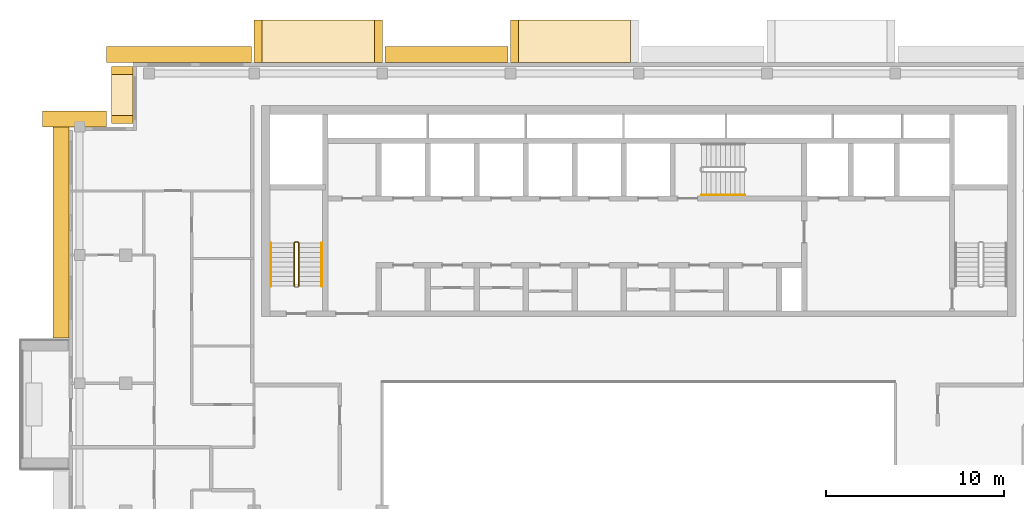
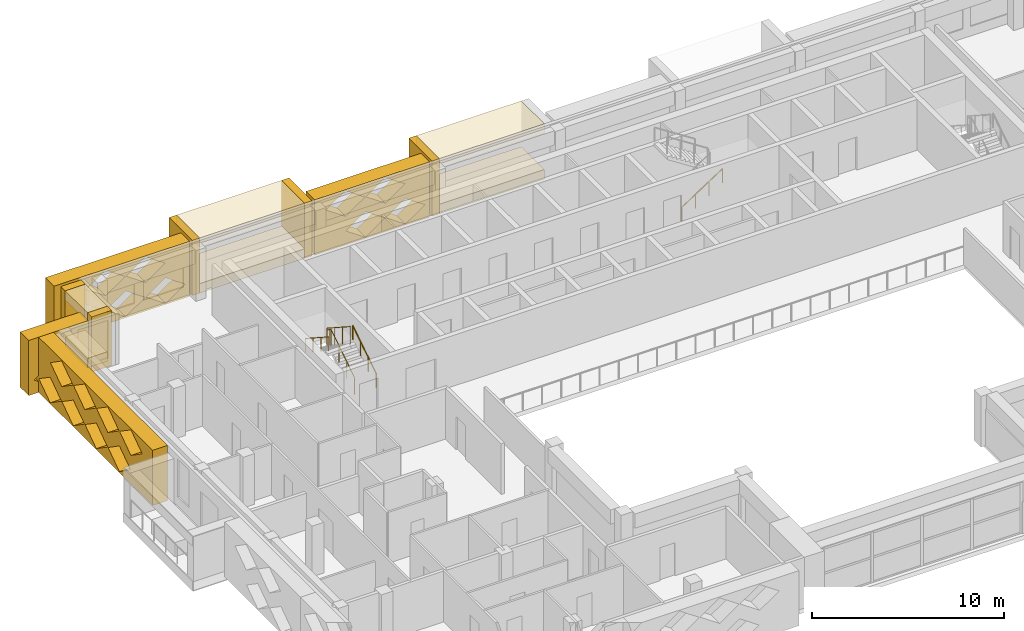
# One storey, part 17 of 19: 15 coverings, 4 railings.
"""IFC4 building model written with IfcOpenShell, lengths in metres."""

from ifc_helpers import new_model, si_unit, direction, frame, origin, origin_2d, place, context, subcontext, project, spatial, polyline, circle, outline, extrude, material, type_object, element, save


model = new_model("IFC4")

# Units and contexts
model_context = context("Model", 3, precision=1e-05, world=origin(), true_north=direction((0.0, 1.0)))
body_context = subcontext(model_context, "Body", "Model", "MODEL_VIEW")
ifc_project = project(units=[si_unit("LENGTHUNIT", "METRE"), si_unit("AREAUNIT", "SQUARE_METRE"), si_unit("VOLUMEUNIT", "CUBIC_METRE"), si_unit("PLANEANGLEUNIT", "RADIAN"), si_unit("MASSUNIT", "GRAM", prefix="KILO")], contexts=[model_context])

# Site, building, storey
site_placement = place(None, origin())
site = spatial("IfcSite", under=ifc_project, at=site_placement, CompositionType="ELEMENT")
building_placement = place(site_placement, origin())
building = spatial("IfcBuilding", under=site, at=building_placement, Name="Saffron Iwan Residences", CompositionType="ELEMENT")
storey_placement = place(building_placement, frame((0.0, 0.0, 253.5)))
storey = spatial("IfcBuildingStorey", under=building, at=storey_placement, Name="L68", CompositionType="ELEMENT", Elevation=253.5)

# Coverings
ifc_material_1 = material(Name="Precast concrete C40/50", Category="concrete")
covering_type_1 = type_object("IfcCoveringType", Name="OUTER SKIN LATTICE SCREEN", PredefinedType="CLADDING", material=ifc_material_1)
covering_1_placement = place(storey_placement, frame((43.050048828125, 80.39990234375, -0.280029296875), z_axis=(0.0, 1.0, 0.0), x_axis=(-1.0, 0.0, 0.0)))
element("IfcCovering", 1, at=covering_1_placement, inside=storey, type_object=covering_type_1, Name="OUTER SKIN lattice screen L68 F5.3", PredefinedType="CLADDING", context=body_context, shape_type="SweptSolid", body=[
    extrude(outline(polyline([(0.0, 0.0), (6.89990234375, 0.0), (6.89990234375, 3.5), (0.0, 3.5), (0.0, 0.0)]), holes=[polyline([(0.27001953125, 0.875), (1.449951171875, 0.06005859375), (2.6298828125, 0.875), (1.449951171875, 1.68994140625), (0.27001953125, 0.875)]), polyline([(2.669921875, 0.875), (3.85009765625, 0.06005859375), (5.030029296875, 0.875), (3.85009765625, 1.68994140625), (2.669921875, 0.875)]), polyline([(1.469970703125, 2.625), (2.64990234375, 1.81005859375), (3.830078125, 2.625), (2.64990234375, 3.43994140625), (1.469970703125, 2.625)]), polyline([(3.8701171875, 2.625), (5.050048828125, 1.81005859375), (6.22998046875, 2.625), (5.050048828125, 3.43994140625), (3.8701171875, 2.625)])]), origin(), (0.0, 0.0, 1.0), 0.900146484375),
])
covering_2_placement = place(storey_placement, frame((28.64990234375, 80.39990234375, -0.280029296875), z_axis=(0.0, 1.0, 0.0), x_axis=(-1.0, 0.0, 0.0)))
element("IfcCovering", 2, at=covering_2_placement, inside=storey, type_object=covering_type_1, Name="OUTER SKIN lattice screen L68 F5.4", PredefinedType="CLADDING", context=body_context, shape_type="SweptSolid", body=[
    extrude(outline(polyline([(0.0, 0.0), (8.14990234375, 0.0), (8.14990234375, 3.5), (0.0, 3.5), (0.0, 0.0)]), holes=[polyline([(0.27001953125, 0.875), (1.449951171875, 0.06005859375), (2.6298828125, 0.875), (1.449951171875, 1.68994140625), (0.27001953125, 0.875)]), polyline([(2.669921875, 0.875), (3.85009765625, 0.06005859375), (5.030029296875, 0.875), (3.85009765625, 1.68994140625), (2.669921875, 0.875)]), polyline([(5.070068359375, 0.875), (6.25, 0.06005859375), (7.429931640625, 0.875), (6.25, 1.68994140625), (5.070068359375, 0.875)]), polyline([(1.469970703125, 2.625), (2.64990234375, 1.81005859375), (3.830078125, 2.625), (2.64990234375, 3.43994140625), (1.469970703125, 2.625)]), polyline([(3.8701171875, 2.625), (5.050048828125, 1.81005859375), (6.22998046875, 2.625), (5.050048828125, 3.43994140625), (3.8701171875, 2.625)])]), origin(), (0.0, 0.0, 1.0), 0.900146484375),
])
covering_3_placement = place(storey_placement, frame((20.5, 76.800048828125, -0.280029296875), z_axis=(0.0, 1.0, 0.0), x_axis=(-1.0, 0.0, 0.0)))
element("IfcCovering", 3, at=covering_3_placement, inside=storey, type_object=covering_type_1, Name="OUTER SKIN lattice screen L68 F7.0", PredefinedType="CLADDING", context=body_context, shape_type="SweptSolid", body=[
    extrude(outline(polyline([(0.0, 0.0), (3.60009765625, 0.0), (3.60009765625, 3.5), (0.0, 3.5), (0.0, 0.0)]), holes=[polyline([(0.919921875, 0.875), (2.10009765625, 0.06005859375), (3.280029296875, 0.875), (2.10009765625, 1.68994140625), (0.919921875, 0.875)])]), origin(), (0.0, 0.0, 1.0), 0.89990234375),
])
covering_4_placement = place(storey_placement, frame((18.39990234375, 77.699951171875, -0.280029296875), z_axis=(-1.0, 0.0, 0.0), x_axis=(0.0, -1.0, 0.0)))
element("IfcCovering", 4, at=covering_4_placement, inside=storey, type_object=covering_type_1, Name="OUTER SKIN lattice screen L68 F8.0", PredefinedType="CLADDING", context=body_context, shape_type="SweptSolid", body=[
    extrude(outline(polyline([(0.0, 0.0), (12.75, 0.0), (12.75, 3.5), (0.0, 3.5), (0.0, 0.0)]), holes=[polyline([(0.919921875, 0.875), (2.10009765625, 0.06005859375), (3.280029296875, 0.875), (2.10009765625, 1.68994140625), (0.919921875, 0.875)]), polyline([(3.320068359375, 0.875), (4.5, 0.06005859375), (5.679931640625, 0.875), (4.5, 1.68994140625), (3.320068359375, 0.875)]), polyline([(5.719970703125, 0.875), (6.89990234375, 0.06005859375), (8.080078125, 0.875), (6.89990234375, 1.68994140625), (5.719970703125, 0.875)]), polyline([(8.1201171875, 0.875), (9.300048828125, 0.06005859375), (10.47998046875, 0.875), (9.300048828125, 1.68994140625), (8.1201171875, 0.875)]), polyline([(2.1201171875, 2.625), (3.300048828125, 1.81005859375), (4.47998046875, 2.625), (3.300048828125, 3.43994140625), (2.1201171875, 2.625)]), polyline([(4.52001953125, 2.625), (5.699951171875, 1.81005859375), (6.8798828125, 2.625), (5.699951171875, 3.43994140625), (4.52001953125, 2.625)]), polyline([(6.919921875, 2.625), (8.10009765625, 1.81005859375), (9.280029296875, 2.625), (8.10009765625, 3.43994140625), (6.919921875, 2.625)]), polyline([(9.320068359375, 2.625), (10.5, 1.81005859375), (11.679931640625, 2.625), (10.5, 3.43994140625), (9.320068359375, 2.625)])]), origin(), (0.0, 0.0, 1.0), 0.89990234375),
])

# Railings
ifc_material_2 = material(Name="Steel S355", Category="steel")
railing_type_1 = type_object("IfcRailingType", Name="Stair guard 1100", PredefinedType="GUARDRAIL", material=ifc_material_2)
railing_1_placement = place(storey_placement, frame((31.300048828125, 67.85009765625, 0.175048828125)))
element("IfcRailing", 5, at=railing_1_placement, inside=storey, type_object=railing_type_1, Name="L68 ST-W stair guard 1", PredefinedType="GUARDRAIL", context=body_context, shape_type="SweptSolid", body=[
    extrude(circle(Radius=0.02392578125, at=origin_2d()), frame((0.0, 0.0, 1.076171875), z_axis=(0.0, 0.839153699163, 0.543894354798), x_axis=(-1.0, 0.0, 0.0)), (0.0, 0.0, 1.0), 2.895751953125),
    extrude(circle(Radius=0.02392578125, at=origin_2d()), frame((0.0, 2.429931640625, 2.65087890625), z_axis=(-0.707106781187, 0.707106781187, 0.0), x_axis=(-0.707106781187, -0.707106781187, 0.0)), (0.0, 0.0, 1.0), 0.07080078125),
    extrude(circle(Radius=0.02392578125, at=origin_2d()), frame((-0.050048828125, 2.47998046875, 2.65087890625), z_axis=(-1.0, 0.0, 0.0), x_axis=(0.0, -1.0, 0.0)), (0.0, 0.0, 1.0), 0.14990234375),
    extrude(circle(Radius=0.02392578125, at=origin_2d()), frame((-0.199951171875, 2.47998046875, 2.65087890625), z_axis=(-0.265065253269, -0.265065253269, 0.927081885822), x_axis=(0.707106781187, -0.707106781187, 0.0)), (0.0, 0.0, 1.0), 0.188720703125),
    extrude(circle(Radius=0.02392578125, at=origin_2d()), frame((-0.25, 2.429931640625, 2.826171875), z_axis=(0.0, -0.839153699163, 0.543894354798), x_axis=(1.0, 0.0, 0.0)), (0.0, 0.0, 1.0), 2.895751953125),
    extrude(circle(Radius=0.02099609375, at=origin_2d()), origin(), (0.0, 0.0, 1.0), 1.052001953125),
    extrude(circle(Radius=0.02099609375, at=origin_2d()), frame((0.0, 0.81005859375, 0.52490234375)), (0.0, 0.0, 1.0), 1.052001953125),
    extrude(circle(Radius=0.02099609375, at=origin_2d()), frame((0.0, 1.619873046875, 1.050048828125)), (0.0, 0.0, 1.0), 1.052001953125),
    extrude(circle(Radius=0.02099609375, at=origin_2d()), frame((0.0, 2.429931640625, 1.574951171875)), (0.0, 0.0, 1.0), 1.052001953125),
    extrude(circle(Radius=0.02099609375, at=origin_2d()), frame((-0.050048828125, 2.47998046875, 1.574951171875)), (0.0, 0.0, 1.0), 1.052001953125),
    extrude(circle(Radius=0.02099609375, at=origin_2d()), frame((-0.199951171875, 2.47998046875, 1.574951171875)), (0.0, 0.0, 1.0), 1.052001953125),
    extrude(circle(Radius=0.02099609375, at=origin_2d()), frame((-0.25, 2.429931640625, 1.75)), (0.0, 0.0, 1.0), 1.052001953125),
    extrude(circle(Radius=0.02099609375, at=origin_2d()), frame((-0.25, 1.619873046875, 2.27490234375)), (0.0, 0.0, 1.0), 1.052001953125),
    extrude(circle(Radius=0.02099609375, at=origin_2d()), frame((-0.25, 0.81005859375, 2.800048828125)), (0.0, 0.0, 1.0), 1.052001953125),
    extrude(circle(Radius=0.02099609375, at=origin_2d()), frame((-0.25, 0.0, 3.324951171875)), (0.0, 0.0, 1.0), 1.052001953125),
])
ifc_material_3 = material(Name="Stainless steel 316", Category="steel")
railing_type_2 = type_object("IfcRailingType", Name="Stair handrail 900", PredefinedType="HANDRAIL", material=ifc_material_3)
railing_2_placement = place(storey_placement, frame((32.60009765625, 67.85009765625, 0.175048828125)))
element("IfcRailing", 6, at=railing_2_placement, inside=storey, type_object=railing_type_2, Name="L68 ST-W stair handrail 1", PredefinedType="HANDRAIL", context=body_context, shape_type="SweptSolid", body=[
    extrude(circle(Radius=0.02392578125, at=origin_2d()), frame((0.0, 0.0, 0.8759765625), z_axis=(0.0, 0.839153699163, 0.543894354798), x_axis=(-1.0, 0.0, 0.0)), (0.0, 0.0, 1.0), 2.895751953125),
    extrude(circle(Radius=0.02099609375, at=origin_2d()), origin(), (0.0, 0.0, 1.0), 0.851806640625),
    extrude(circle(Radius=0.02099609375, at=origin_2d()), frame((0.0, 0.81005859375, 0.52490234375)), (0.0, 0.0, 1.0), 0.851806640625),
    extrude(circle(Radius=0.02099609375, at=origin_2d()), frame((0.0, 1.619873046875, 1.050048828125)), (0.0, 0.0, 1.0), 0.851806640625),
    extrude(circle(Radius=0.02099609375, at=origin_2d()), frame((0.0, 2.429931640625, 1.574951171875)), (0.0, 0.0, 1.0), 0.851806640625),
])
railing_3_placement = place(storey_placement, frame((29.75, 70.280029296875, 1.925048828125)))
element("IfcRailing", 7, at=railing_3_placement, inside=storey, type_object=railing_type_2, Name="L68 ST-W stair handrail 2", PredefinedType="HANDRAIL", context=body_context, shape_type="SweptSolid", body=[
    extrude(circle(Radius=0.02392578125, at=origin_2d()), frame((0.0, 0.0, 0.8759765625), z_axis=(0.0, -0.839153699163, 0.543894354798), x_axis=(1.0, 0.0, 0.0)), (0.0, 0.0, 1.0), 2.895751953125),
    extrude(circle(Radius=0.02099609375, at=origin_2d()), origin(), (0.0, 0.0, 1.0), 0.851806640625),
    extrude(circle(Radius=0.02099609375, at=origin_2d()), frame((0.0, -0.81005859375, 0.52490234375)), (0.0, 0.0, 1.0), 0.851806640625),
    extrude(circle(Radius=0.02099609375, at=origin_2d()), frame((0.0, -1.619873046875, 1.050048828125)), (0.0, 0.0, 1.0), 0.851806640625),
    extrude(circle(Radius=0.02099609375, at=origin_2d()), frame((0.0, -2.429931640625, 1.574951171875)), (0.0, 0.0, 1.0), 0.851806640625),
])
railing_4_placement = place(storey_placement, frame((53.925048828125, 72.97509765625, 0.175048828125)))
element("IfcRailing", 8, at=railing_4_placement, inside=storey, type_object=railing_type_2, Name="L68 ST-C stair handrail 1", PredefinedType="HANDRAIL", context=body_context, shape_type="SweptSolid", body=[
    extrude(circle(Radius=0.02392578125, at=origin_2d()), frame((0.0, 0.0, 0.8759765625), z_axis=(0.839153699163, 0.0, 0.543894354798), x_axis=(0.0, 1.0, 0.0)), (0.0, 0.0, 1.0), 2.895751953125),
    extrude(circle(Radius=0.02099609375, at=origin_2d()), origin(), (0.0, 0.0, 1.0), 0.851806640625),
    extrude(circle(Radius=0.02099609375, at=origin_2d()), frame((0.81005859375, 0.0, 0.52490234375)), (0.0, 0.0, 1.0), 0.851806640625),
    extrude(circle(Radius=0.02099609375, at=origin_2d()), frame((1.619873046875, 0.0, 1.050048828125)), (0.0, 0.0, 1.0), 0.851806640625),
    extrude(circle(Radius=0.02099609375, at=origin_2d()), frame((2.429931640625, 0.0, 1.574951171875)), (0.0, 0.0, 1.0), 0.851806640625),
])

# Coverings
ifc_material_4 = material(Name="Precast concrete C40/50 white painted", Category="concrete")
covering_type_2 = type_object("IfcCoveringType", Name="WHITE SUN FRAME PRECAST", PredefinedType="CLADDING", material=ifc_material_4)
covering_5_placement = place(storey_placement, frame((43.64990234375, 80.39990234375, -0.280029296875), z_axis=(0.0, 1.0, 0.0), x_axis=(-1.0, 0.0, 0.0)))
element("IfcCovering", 9, at=covering_5_placement, inside=storey, type_object=covering_type_2, Name="Sun frame L68 F5 28.4b", PredefinedType="CLADDING", context=body_context, shape_type="SweptSolid", body=[
    extrude(outline(polyline([(0.0, 0.0), (0.449951171875, 0.0), (0.449951171875, 3.5), (0.0, 3.5), (0.0, 0.0)])), origin(), (0.0, 0.0, 1.0), 2.400146484375),
])
for number, where, z_axis, x_axis, name in (
    (10, (49.949951171875, 80.39990234375, 2.6201171875), (0.0, 1.0, 0.0), (-1.0, 0.0, 0.0), "Sun frame L68 F5 28.4h"),
    (11, (49.949951171875, 80.39990234375, -0.280029296875), (0.0, 1.0, 0.0), (-1.0, 0.0, 0.0), "Sun frame L68 F5 28.4s"),
):
    element("IfcCovering", number, at=place(storey_placement, frame(where, z_axis=z_axis, x_axis=x_axis)), inside=storey, type_object=covering_type_2, Name=name, PredefinedType="CLADDING", context=body_context, shape_type="SweptSolid", body=[
        extrude(outline(polyline([(0.0, 0.0), (6.300048828125, 0.0), (6.300048828125, 0.60009765625), (0.0, 0.60009765625), (0.0, 0.0)])), origin(), (0.0, 0.0, 1.0), 2.400146484375),
    ])
for number, where, z_axis, x_axis, name in (
    (12, (36.0, 80.39990234375, -0.280029296875), (0.0, 1.0, 0.0), (-1.0, 0.0, 0.0), "Sun frame L68 F5 42.8a"),
    (13, (29.25, 80.39990234375, -0.280029296875), (0.0, 1.0, 0.0), (-1.0, 0.0, 0.0), "Sun frame L68 F5 42.8b"),
):
    element("IfcCovering", number, at=place(storey_placement, frame(where, z_axis=z_axis, x_axis=x_axis)), inside=storey, type_object=covering_type_2, Name=name, PredefinedType="CLADDING", context=body_context, shape_type="SweptSolid", body=[
        extrude(outline(polyline([(0.0, 0.0), (0.449951171875, 0.0), (0.449951171875, 3.5), (0.0, 3.5), (0.0, 0.0)])), origin(), (0.0, 0.0, 1.0), 2.400146484375),
    ])
for number, where, z_axis, x_axis, name in (
    (14, (35.550048828125, 80.39990234375, 2.6201171875), (0.0, 1.0, 0.0), (-1.0, 0.0, 0.0), "Sun frame L68 F5 42.8h"),
    (15, (35.550048828125, 80.39990234375, -0.280029296875), (0.0, 1.0, 0.0), (-1.0, 0.0, 0.0), "Sun frame L68 F5 42.8s"),
):
    element("IfcCovering", number, at=place(storey_placement, frame(where, z_axis=z_axis, x_axis=x_axis)), inside=storey, type_object=covering_type_2, Name=name, PredefinedType="CLADDING", context=body_context, shape_type="SweptSolid", body=[
        extrude(outline(polyline([(0.0, 0.0), (6.300048828125, 0.0), (6.300048828125, 0.60009765625), (0.0, 0.60009765625), (0.0, 0.0)])), origin(), (0.0, 0.0, 1.0), 2.400146484375),
    ])
for number, where, z_axis, x_axis, name in (
    (16, (22.0, 80.199951171875, -0.280029296875), (-1.0, 0.0, 0.0), (0.0, -1.0, 0.0), "Sun frame L68 F6 0.2a"),
    (17, (22.0, 77.449951171875, -0.280029296875), (-1.0, 0.0, 0.0), (0.0, -1.0, 0.0), "Sun frame L68 F6 0.2b"),
):
    element("IfcCovering", number, at=place(storey_placement, frame(where, z_axis=z_axis, x_axis=x_axis)), inside=storey, type_object=covering_type_2, Name=name, PredefinedType="CLADDING", context=body_context, shape_type="SweptSolid", body=[
        extrude(outline(polyline([(0.0, 0.0), (0.449951171875, 0.0), (0.449951171875, 3.5), (0.0, 3.5), (0.0, 0.0)])), origin(), (0.0, 0.0, 1.0), 1.199951171875),
    ])
for number, where, z_axis, x_axis, name in (
    (18, (22.0, 79.75, 2.6201171875), (-1.0, 0.0, 0.0), (0.0, -1.0, 0.0), "Sun frame L68 F6 0.2h"),
    (19, (22.0, 79.75, -0.280029296875), (-1.0, 0.0, 0.0), (0.0, -1.0, 0.0), "Sun frame L68 F6 0.2s"),
):
    element("IfcCovering", number, at=place(storey_placement, frame(where, z_axis=z_axis, x_axis=x_axis)), inside=storey, type_object=covering_type_2, Name=name, PredefinedType="CLADDING", context=body_context, shape_type="SweptSolid", body=[
        extrude(outline(polyline([(0.0, 0.0), (2.300048828125, 0.0), (2.300048828125, 0.60009765625), (0.0, 0.60009765625), (0.0, 0.0)])), origin(), (0.0, 0.0, 1.0), 1.199951171875),
    ])

save(model, "model.ifc")
